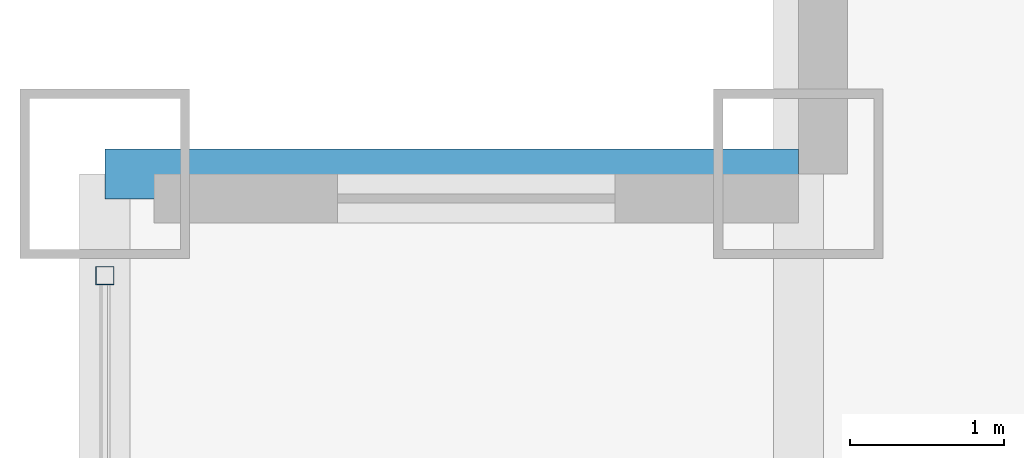
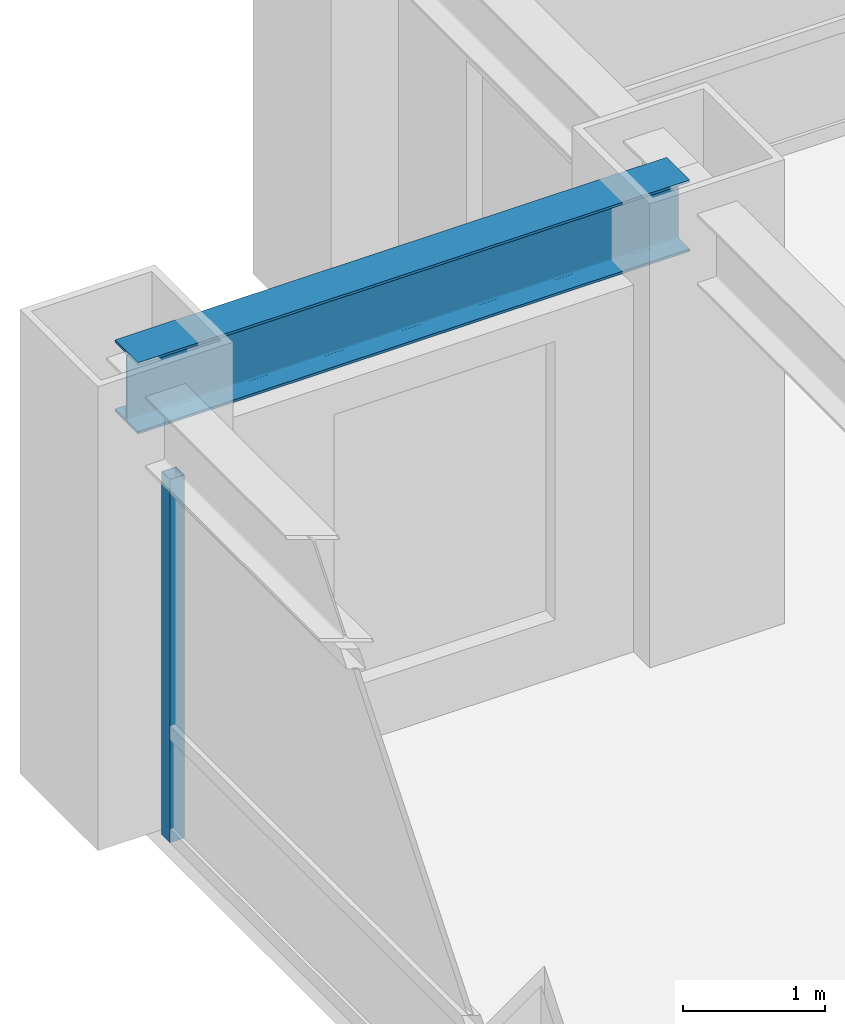
# One storey, part 12 of 24: 1 beam, 1 member, 1 element without a shape of its own.
"""IFC4 building model written with IfcOpenShell, lengths in metres."""

from ifc_helpers import new_model, si_unit, direction, frame, origin, origin_2d, place, context, subcontext, project, spatial, hollow_rectangle, i_section, extrude, source, transform, mapped, material, material_profile, profile_set, type_object, element, aggregate, save


model = new_model("IFC4")

# Units and contexts
model_context = context("Model", 3, precision=1e-05, world=origin(), true_north=direction((0.0, 1.0)))
body_context = subcontext(model_context, "Body", "Model", "MODEL_VIEW")
ifc_project = project(units=[si_unit("LENGTHUNIT", "METRE"), si_unit("AREAUNIT", "SQUARE_METRE"), si_unit("VOLUMEUNIT", "CUBIC_METRE"), si_unit("PLANEANGLEUNIT", "RADIAN"), si_unit("MASSUNIT", "GRAM", prefix="KILO")], contexts=[model_context])

# Site, building, storey
site_placement = place(None, origin())
site = spatial("IfcSite", under=ifc_project, at=site_placement, CompositionType="ELEMENT")
building_placement = place(site_placement, origin())
building = spatial("IfcBuilding", under=site, at=building_placement, Name="Khorayat Bourse Tower", CompositionType="ELEMENT")
storey_placement = place(building_placement, frame((0.0, 0.0, 171.10009765625)))
storey = spatial("IfcBuildingStorey", under=building, at=storey_placement, Name="L39", CompositionType="ELEMENT", Elevation=171.10009765625)

# Beam
ifc_material_1 = material(Name="Steel ASTM A992 Grade 50", Category="steel")
ifc_material_profile_1 = material_profile(ifc_material_1, i_section(OverallWidth=0.324951171875, OverallDepth=0.615966796875, WebThickness=0.013916015625, FlangeThickness=0.021484375, FilletRadius=0.01611328125, at=origin_2d()), Name="W610X174")
ifc_profile_set_1 = profile_set([ifc_material_profile_1], Name="Steel ASTM A992 Grade 50")
beam_type = type_object("IfcBeamType", Name="BM-SPAN-610", PredefinedType="SPANDREL", material=ifc_profile_set_1)
shared_shape_1 = source(origin(), body_context, "Body", "SweptSolid", [
    extrude(i_section(OverallWidth=0.324951171875, OverallDepth=0.615966796875, WebThickness=0.013916015625, FlangeThickness=0.021484375, FilletRadius=0.01611328125, at=origin_2d()), origin(), (0.0, 0.0, 1.0), 4.5),
])
beam_placement = place(storey_placement, frame((-30.0, 25.5, 3.471923828125), z_axis=(1.0, 0.0, 0.0), x_axis=(0.0, 1.0, 0.0)))
element("IfcBeam", 1, at=beam_placement, inside=storey, type_object=beam_type, Name="L39 BM-SPAN-610 BM-L39-SPN-053", PredefinedType="SPANDREL", context=body_context, shape_type="MappedRepresentation", body=[
    mapped(shared_shape_1, transform((0.0, 0.0, 0.0), scale=1.0)),
])

# Curtain wall, member
ifc_material_2 = material(Name="Aluminium EN AW-6063 T6", Category="aluminium")
curtain_wall_type = type_object("IfcCurtainWallType", Name="CW-SYS-03", PredefinedType="NOTDEFINED", material=ifc_material_2)
curtain_wall_placement = place(storey_placement, origin())
curtain_wall = element("IfcCurtainWall", 2, at=curtain_wall_placement, inside=storey, type_object=curtain_wall_type, Name="L39 Curtain Wall CW-L39-W1", PredefinedType="NOTDEFINED")
ifc_material_profile_2 = material_profile(ifc_material_2, hollow_rectangle(XDim=0.1201171875, YDim=0.1201171875, WallThickness=0.0048828125, at=origin_2d()), Name="ALU 120x120x5")
ifc_profile_set_2 = profile_set([ifc_material_profile_2], Name="Aluminium EN AW-6063 T6")
member_type = type_object("IfcMemberType", Name="CWM-VERT-120", PredefinedType="MULLION", material=ifc_profile_set_2)
shared_shape_2 = source(origin(), body_context, "Body", "SweptSolid", [
    extrude(hollow_rectangle(XDim=0.1201171875, YDim=0.1201171875, WallThickness=0.0048828125, at=origin_2d()), origin(), (0.0, 0.0, 1.0), 3.1298828125),
])
member_placement = place(storey_placement, frame((-30.0, 24.840087890625, 0.0), z_axis=(0.0, 0.0, 1.0), x_axis=(-1.0, 0.0, 0.0)))
member = element("IfcMember", 3, at=member_placement, type_object=member_type, Name="CW-L39-W1 Vertical Mullion 3", PredefinedType="MULLION", context=body_context, shape_type="MappedRepresentation", body=[
    mapped(shared_shape_2, transform((0.0, 0.0, 0.0), scale=1.0)),
])
aggregate(curtain_wall, [member])

save(model, "model.ifc")
